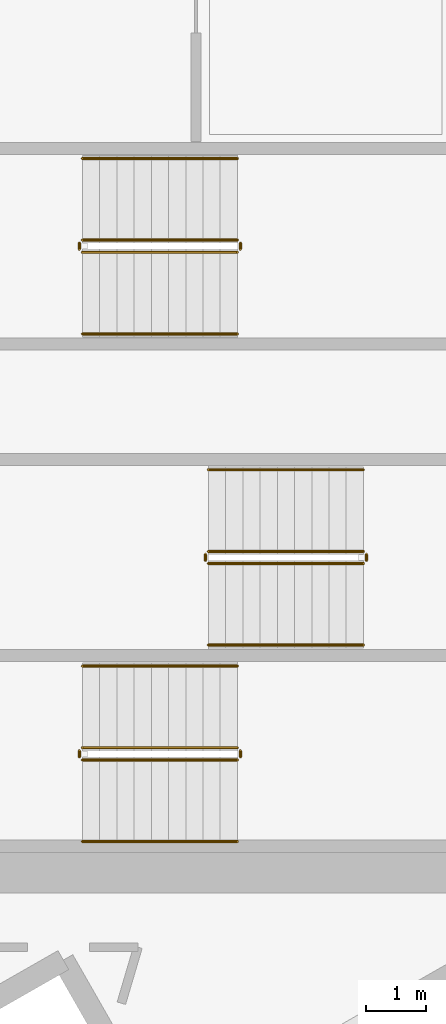
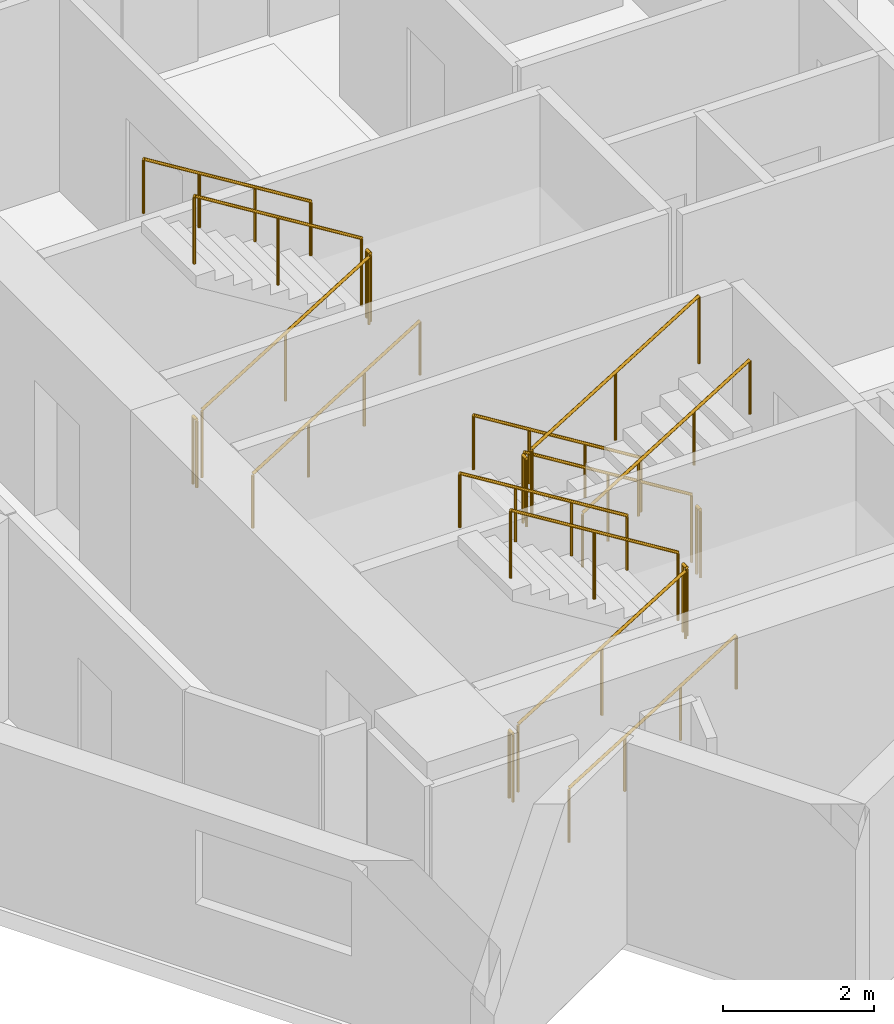
# One storey, part 12 of 13: 18 railings.
"""IFC4 building model written with IfcOpenShell, lengths in metres."""

import ifcopenshell
import ifcopenshell.guid

model = None  # the IFC model being written
_history = None  # IfcOwnerHistory: only IFC2X3 demands one
_inside = {}  # id of a spatial element -> (the spatial element, [elements in it])
_under = {}  # id of a project, library or spatial element -> (it, [spatial elements below it])
_declared = {}  # id of a project -> (the project, [libraries it declares])
_typed = {}  # id of a type object -> (the type object, [elements of that type])
_made_of = {}  # id of a material, layer set ... -> (it, [elements and type objects made of it])


def new_model(schema):
    """Start an empty IFC model of exactly this schema.

    Asked for "IFC4X3", IfcOpenShell would pick the latest addendum, in which some entities
    have other attributes; the version numbers below select the first issue.
    IFC2X3 requires an IfcOwnerHistory on every rooted entity: one is made here for all.
    """
    global model, _history
    if schema == "IFC4X3":
        model = ifcopenshell.file(schema_version=(4, 3, 0, 0))
    else:
        model = ifcopenshell.file(schema=schema)
    _inside.clear()
    _under.clear()
    _declared.clear()
    _typed.clear()
    _made_of.clear()
    _history = None
    if model.schema == "IFC2X3":
        org = make("IfcOrganization", Name="unknown")
        user = make(
            "IfcPersonAndOrganization",
            ThePerson=make("IfcPerson", FamilyName="unknown"),
            TheOrganization=org,
        )
        app = make(
            "IfcApplication",
            ApplicationDeveloper=org,
            Version="unknown",
            ApplicationFullName="unknown",
            ApplicationIdentifier="unknown",
        )
        _history = make(
            "IfcOwnerHistory",
            OwningUser=user,
            OwningApplication=app,
            ChangeAction="ADDED",
            CreationDate=0,
        )
    return model


def make(cls, **values):
    """One entity of the class cls with the attributes given. An attribute that is None is left unset."""
    return model.create_entity(
        cls, **{name: value for name, value in values.items() if value is not None}
    )


def rooted(cls, **values):
    """An entity with a GlobalId (a new one), such as an element, a storey or a relation."""
    return make(cls, GlobalId=ifcopenshell.guid.new(), OwnerHistory=_history, **values)


def si_unit(unit_type, name, prefix=None):
    """IfcSIUnit, for example si_unit("LENGTHUNIT", "METRE", prefix="MILLI")."""
    return make("IfcSIUnit", UnitType=unit_type, Prefix=prefix, Name=name)


def assignment(units):
    """IfcUnitAssignment: the units of a project."""
    return None if units is None else make("IfcUnitAssignment", Units=units)


def point(xyz):
    """IfcCartesianPoint."""
    return None if xyz is None else make("IfcCartesianPoint", Coordinates=xyz)


def direction(xyz):
    """IfcDirection."""
    return None if xyz is None else make("IfcDirection", DirectionRatios=xyz)


def frame(location, z_axis=None, x_axis=None):
    """IfcAxis2Placement3D, a coordinate frame: its origin and axes. An axis left out is left unset."""
    return make(
        "IfcAxis2Placement3D",
        Location=point(location),
        Axis=direction(z_axis),
        RefDirection=direction(x_axis),
    )


def frame_2d(location, x_axis=None):
    """IfcAxis2Placement2D, a coordinate frame in the plane: its origin and x axis."""
    return make(
        "IfcAxis2Placement2D", Location=point(location), RefDirection=direction(x_axis)
    )


def origin():
    """The frame at (0, 0, 0) with its axes left unset."""
    return frame((0.0, 0.0, 0.0))


def origin_2d():
    """The frame at (0, 0) in the plane with its x axis left unset."""
    return frame_2d((0.0, 0.0))


def place(relative_to, where):
    """IfcLocalPlacement: puts the frame where relative to a parent placement (None: the world)."""
    return make(
        "IfcLocalPlacement", PlacementRelTo=relative_to, RelativePlacement=where
    )


def context(
    kind, dimensions, precision=None, world=None, true_north=None, identifier=None
):
    """IfcGeometricRepresentationContext, for example the 3D "Model" context."""
    return make(
        "IfcGeometricRepresentationContext",
        ContextIdentifier=identifier,
        ContextType=kind,
        CoordinateSpaceDimension=dimensions,
        Precision=precision,
        WorldCoordinateSystem=world,
        TrueNorth=true_north,
    )


def subcontext(parent, identifier, kind, view, scale=None):
    """IfcGeometricRepresentationSubContext, for example "Body" below "Model"."""
    return make(
        "IfcGeometricRepresentationSubContext",
        ContextIdentifier=identifier,
        ContextType=kind,
        ParentContext=parent,
        TargetScale=scale,
        TargetView=view,
    )


def project(units=None, contexts=None):
    """IfcProject with its units and contexts."""
    return rooted(
        "IfcProject",
        Name="project",
        RepresentationContexts=contexts,
        UnitsInContext=assignment(units),
    )


def spatial(cls, under=None, at=None, **own):
    """A site, building, storey or space (cls), placed at a placement, below another one or the project."""
    s = rooted(cls, ObjectPlacement=at, **own)
    if under is not None:
        _under.setdefault(under.id(), (under, []))[1].append(s)
    return s


def profile(cls, at=None, kind="AREA", **sizes):
    """A parametric profile (cls). Its sizes go by their IFC names, for example OverallWidth=200.0."""
    return make(cls, ProfileType=kind, Position=at, **sizes)


def circle(**sizes):
    """IfcCircleProfileDef."""
    return profile("IfcCircleProfileDef", **sizes)


def extrude(swept, where, along, depth):
    """IfcExtrudedAreaSolid: the profile swept, set in the frame where, extruded along a direction by depth."""
    return make(
        "IfcExtrudedAreaSolid",
        SweptArea=swept,
        Position=where,
        ExtrudedDirection=direction(along),
        Depth=depth,
    )


def shape(context_of_items, identifier, shape_type, items):
    """IfcShapeRepresentation: the items that make up one representation, for example the "Body"."""
    return make(
        "IfcShapeRepresentation",
        ContextOfItems=context_of_items,
        RepresentationIdentifier=identifier,
        RepresentationType=shape_type,
        Items=items,
    )


def material(Name=None, Category=None):
    """IfcMaterial."""
    return make("IfcMaterial", Name=Name, Category=Category)


def made_of(thing, what):
    """Note that an element or type object is made of a material, layer set ...; save() writes the relation."""
    if what is not None:
        _made_of.setdefault(what.id(), (what, []))[1].append(thing)
    return thing


def type_object(cls, material=None, **own):
    """A type object (cls), such as IfcWallType, which elements share."""
    return made_of(rooted(cls, **own), material)


def element(
    cls,
    number,
    at=None,
    inside=None,
    cuts=None,
    type_object=None,
    material=None,
    context=None,
    identifier="Body",
    shape_type=None,
    held_by="IfcProductDefinitionShape",
    body=None,
    shapes=None,
    **own,
):
    """One element of the class cls, such as IfcWall. Its Tag is "e" and its number.

    at: its placement. inside: the storey or other place that contains it. cuts: it is an
    opening in that element (IfcRelVoidsElement). A single representation is given by context,
    identifier, shape_type and body (its items); several are given by shapes. held_by: the class
    of the entity that holds the representations. save() writes the other relations.
    """
    e = rooted(cls, Tag="e%d" % number, ObjectPlacement=at, **own)
    if body is not None:
        shapes = [shape(context, identifier, shape_type, body)]
    if shapes is not None:
        e.Representation = make(held_by, Representations=shapes)
    if inside is not None:
        _inside.setdefault(inside.id(), (inside, []))[1].append(e)
    if cuts is not None:
        rooted(
            "IfcRelVoidsElement", RelatingBuildingElement=cuts, RelatedOpeningElement=e
        )
    if type_object is not None:
        _typed.setdefault(type_object.id(), (type_object, []))[1].append(e)
    return made_of(e, material)


def aggregate(whole, parts):
    """IfcRelAggregates: a whole, such as a stair, and the parts it consists of."""
    return rooted("IfcRelAggregates", RelatingObject=whole, RelatedObjects=parts)


def save(model, path):
    """Write the relations noted so far, then the file.

    IfcRelAggregates (storeys below a building ...), IfcRelContainedInSpatialStructure (elements
    in a storey), IfcRelDefinesByType, IfcRelAssociatesMaterial and IfcRelDeclares: one each for
    every whole, place, type object, material and project.
    """
    for whole, parts in _under.values():
        aggregate(whole, parts)
    for where, things in _inside.values():
        rooted(
            "IfcRelContainedInSpatialStructure",
            RelatedElements=things,
            RelatingStructure=where,
        )
    for kind, things in _typed.values():
        rooted("IfcRelDefinesByType", RelatedObjects=things, RelatingType=kind)
    for what, things in _made_of.values():
        rooted("IfcRelAssociatesMaterial", RelatedObjects=things, RelatingMaterial=what)
    for by, libraries in _declared.values():
        rooted("IfcRelDeclares", RelatingContext=by, RelatedDefinitions=libraries)
    model.write(path)


model = new_model("IFC4")

# Units and contexts
model_context = context("Model", 3, precision=1e-05, world=origin(), true_north=direction((0.0, 1.0)))
body_context = subcontext(model_context, "Body", "Model", "MODEL_VIEW")
ifc_project = project(units=[si_unit("LENGTHUNIT", "METRE"), si_unit("AREAUNIT", "SQUARE_METRE"), si_unit("VOLUMEUNIT", "CUBIC_METRE"), si_unit("PLANEANGLEUNIT", "RADIAN"), si_unit("MASSUNIT", "GRAM", prefix="KILO")], contexts=[model_context])

# Site, building, storey
site_placement = place(None, origin())
site = spatial("IfcSite", under=ifc_project, at=site_placement, CompositionType="ELEMENT")
building_placement = place(site_placement, origin())
building = spatial("IfcBuilding", under=site, at=building_placement, Name="Narakoshi Arena Tower", CompositionType="ELEMENT")
storey_placement = place(building_placement, frame((0.0, 0.0, 225.5400390625)))
storey = spatial("IfcBuildingStorey", under=building, at=storey_placement, Name="L61", CompositionType="ELEMENT", Elevation=225.5400390625)

# Railings
ifc_material_1 = material(Name="Clear low-iron laminated structural glass", Category="glass")
railing_type_1 = type_object("IfcRailingType", Name="RL-BAL-1100", PredefinedType="BALUSTRADE", material=ifc_material_1)
railing_1_placement = place(storey_placement, frame((74.39990234375, 36.949951171875, 0.176025390625)))
element("IfcRailing", 1, at=railing_1_placement, inside=storey, type_object=railing_type_1, Name="L61 ST1 stair guard 1", PredefinedType="BALUSTRADE", context=body_context, shape_type="SweptSolid", body=[
    extrude(circle(Radius=0.02392578125, at=origin_2d()), frame((0.0, 0.0, 1.09619140625), z_axis=(0.850856559306, 0.0, 0.525398054323), x_axis=(0.0, 1.0, 0.0)), (0.0, 0.0, 1.0), 3.014892578125),
    extrude(circle(Radius=0.02099609375, at=origin_2d()), origin(), (0.0, 0.0, 1.0), 1.072021484375),
    extrude(circle(Radius=0.02099609375, at=origin_2d()), frame((1.28271484375, 0.0, 0.7919921875)), (0.0, 0.0, 1.0), 1.072021484375),
    extrude(circle(Radius=0.02099609375, at=origin_2d()), frame((2.565185546875, 0.0, 1.583984375)), (0.0, 0.0, 1.0), 1.072021484375),
])
railing_2_placement = place(storey_placement, frame((77.014892578125, 37.0, 1.760009765625)))
element("IfcRailing", 2, at=railing_2_placement, inside=storey, type_object=railing_type_1, Name="L61 ST1 stair guard 2", PredefinedType="BALUSTRADE", context=body_context, shape_type="SweptSolid", body=[
    extrude(circle(Radius=0.02392578125, at=origin_2d()), frame((0.0, 0.0, 1.09619140625), z_axis=(0.0, 1.0, 0.0), x_axis=(-1.0, 0.0, 0.0)), (0.0, 0.0, 1.0), 0.10009765625),
    extrude(circle(Radius=0.02099609375, at=origin_2d()), origin(), (0.0, 0.0, 1.0), 1.072021484375),
    extrude(circle(Radius=0.02099609375, at=origin_2d()), frame((0.0, 0.10009765625, 0.0)), (0.0, 0.0, 1.0), 1.072021484375),
])
railing_3_placement = place(storey_placement, frame((76.965087890625, 37.14990234375, 1.93603515625)))
element("IfcRailing", 3, at=railing_3_placement, inside=storey, type_object=railing_type_1, Name="L61 ST1 stair guard 3", PredefinedType="BALUSTRADE", context=body_context, shape_type="SweptSolid", body=[
    extrude(circle(Radius=0.02392578125, at=origin_2d()), frame((0.0, 0.0, 1.09619140625), z_axis=(-0.850856559306, 0.0, 0.525398054323), x_axis=(0.0, -1.0, 0.0)), (0.0, 0.0, 1.0), 3.014892578125),
    extrude(circle(Radius=0.02099609375, at=origin_2d()), origin(), (0.0, 0.0, 1.0), 1.072021484375),
    extrude(circle(Radius=0.02099609375, at=origin_2d()), frame((-1.28271484375, 0.0, 0.7919921875)), (0.0, 0.0, 1.0), 1.072021484375),
    extrude(circle(Radius=0.02099609375, at=origin_2d()), frame((-2.565185546875, 0.0, 1.583984375)), (0.0, 0.0, 1.0), 1.072021484375),
])
railing_4_placement = place(storey_placement, frame((74.35009765625, 37.0, 0.0)))
element("IfcRailing", 4, at=railing_4_placement, inside=storey, type_object=railing_type_1, Name="L61 ST1 stair guard 4", PredefinedType="BALUSTRADE", context=body_context, shape_type="SweptSolid", body=[
    extrude(circle(Radius=0.02392578125, at=origin_2d()), frame((0.0, 0.0, 1.09619140625), z_axis=(0.0, 1.0, 0.0), x_axis=(-1.0, 0.0, 0.0)), (0.0, 0.0, 1.0), 0.10009765625),
    extrude(circle(Radius=0.02099609375, at=origin_2d()), origin(), (0.0, 0.0, 1.0), 1.072021484375),
    extrude(circle(Radius=0.02099609375, at=origin_2d()), frame((0.0, 0.10009765625, 0.0)), (0.0, 0.0, 1.0), 1.072021484375),
])
railing_5_placement = place(storey_placement, frame((79.050048828125, 40.39990234375, 0.176025390625)))
element("IfcRailing", 5, at=railing_5_placement, inside=storey, type_object=railing_type_1, Name="L61 ST2 stair guard 1", PredefinedType="BALUSTRADE", context=body_context, shape_type="SweptSolid", body=[
    extrude(circle(Radius=0.02392578125, at=origin_2d()), frame((0.0, 0.0, 1.09619140625), z_axis=(-0.850834203031, 0.0, 0.525434257497), x_axis=(0.0, -1.0, 0.0)), (0.0, 0.0, 1.0), 3.0146484375),
    extrude(circle(Radius=0.02099609375, at=origin_2d()), origin(), (0.0, 0.0, 1.0), 1.072021484375),
    extrude(circle(Radius=0.02099609375, at=origin_2d()), frame((-1.282470703125, 0.0, 0.7919921875)), (0.0, 0.0, 1.0), 1.072021484375),
    extrude(circle(Radius=0.02099609375, at=origin_2d()), frame((-2.56494140625, 0.0, 1.583984375)), (0.0, 0.0, 1.0), 1.072021484375),
])
railing_6_placement = place(storey_placement, frame((76.43505859375, 40.35009765625, 1.760009765625)))
element("IfcRailing", 6, at=railing_6_placement, inside=storey, type_object=railing_type_1, Name="L61 ST2 stair guard 2", PredefinedType="BALUSTRADE", context=body_context, shape_type="SweptSolid", body=[
    extrude(circle(Radius=0.02392578125, at=origin_2d()), frame((0.0, 0.0, 1.09619140625), z_axis=(0.0, -1.0, 0.0), x_axis=(1.0, 0.0, 0.0)), (0.0, 0.0, 1.0), 0.10009765625),
    extrude(circle(Radius=0.02099609375, at=origin_2d()), origin(), (0.0, 0.0, 1.0), 1.072021484375),
    extrude(circle(Radius=0.02099609375, at=origin_2d()), frame((0.0, -0.10009765625, 0.0)), (0.0, 0.0, 1.0), 1.072021484375),
])
railing_7_placement = place(storey_placement, frame((76.485107421875, 40.199951171875, 1.93603515625)))
element("IfcRailing", 7, at=railing_7_placement, inside=storey, type_object=railing_type_1, Name="L61 ST2 stair guard 3", PredefinedType="BALUSTRADE", context=body_context, shape_type="SweptSolid", body=[
    extrude(circle(Radius=0.02392578125, at=origin_2d()), frame((0.0, 0.0, 1.09619140625), z_axis=(0.850834203031, 0.0, 0.525434257497), x_axis=(0.0, 1.0, 0.0)), (0.0, 0.0, 1.0), 3.0146484375),
    extrude(circle(Radius=0.02099609375, at=origin_2d()), origin(), (0.0, 0.0, 1.0), 1.072021484375),
    extrude(circle(Radius=0.02099609375, at=origin_2d()), frame((1.282470703125, 0.0, 0.7919921875)), (0.0, 0.0, 1.0), 1.072021484375),
    extrude(circle(Radius=0.02099609375, at=origin_2d()), frame((2.56494140625, 0.0, 1.583984375)), (0.0, 0.0, 1.0), 1.072021484375),
])
railing_8_placement = place(storey_placement, frame((79.10009765625, 40.35009765625, 0.0)))
element("IfcRailing", 8, at=railing_8_placement, inside=storey, type_object=railing_type_1, Name="L61 ST2 stair guard 4", PredefinedType="BALUSTRADE", context=body_context, shape_type="SweptSolid", body=[
    extrude(circle(Radius=0.02392578125, at=origin_2d()), frame((0.0, 0.0, 1.09619140625), z_axis=(0.0, -1.0, 0.0), x_axis=(1.0, 0.0, 0.0)), (0.0, 0.0, 1.0), 0.10009765625),
    extrude(circle(Radius=0.02099609375, at=origin_2d()), origin(), (0.0, 0.0, 1.0), 1.072021484375),
    extrude(circle(Radius=0.02099609375, at=origin_2d()), frame((0.0, -0.10009765625, 0.0)), (0.0, 0.0, 1.0), 1.072021484375),
])
railing_9_placement = place(storey_placement, frame((74.39990234375, 45.35009765625, 0.176025390625)))
element("IfcRailing", 9, at=railing_9_placement, inside=storey, type_object=railing_type_1, Name="L61 ST3 stair guard 1", PredefinedType="BALUSTRADE", context=body_context, shape_type="SweptSolid", body=[
    extrude(circle(Radius=0.02392578125, at=origin_2d()), frame((0.0, 0.0, 1.09619140625), z_axis=(0.850856559306, 0.0, 0.525398054323), x_axis=(0.0, 1.0, 0.0)), (0.0, 0.0, 1.0), 3.014892578125),
    extrude(circle(Radius=0.02099609375, at=origin_2d()), origin(), (0.0, 0.0, 1.0), 1.072021484375),
    extrude(circle(Radius=0.02099609375, at=origin_2d()), frame((1.28271484375, 0.0, 0.7919921875)), (0.0, 0.0, 1.0), 1.072021484375),
    extrude(circle(Radius=0.02099609375, at=origin_2d()), frame((2.565185546875, 0.0, 1.583984375)), (0.0, 0.0, 1.0), 1.072021484375),
])
railing_10_placement = place(storey_placement, frame((77.014892578125, 45.39990234375, 1.760009765625)))
element("IfcRailing", 10, at=railing_10_placement, inside=storey, type_object=railing_type_1, Name="L61 ST3 stair guard 2", PredefinedType="BALUSTRADE", context=body_context, shape_type="SweptSolid", body=[
    extrude(circle(Radius=0.02392578125, at=origin_2d()), frame((0.0, 0.0, 1.09619140625), z_axis=(0.0, 1.0, 0.0), x_axis=(-1.0, 0.0, 0.0)), (0.0, 0.0, 1.0), 0.10009765625),
    extrude(circle(Radius=0.02099609375, at=origin_2d()), origin(), (0.0, 0.0, 1.0), 1.072021484375),
    extrude(circle(Radius=0.02099609375, at=origin_2d()), frame((0.0, 0.10009765625, 0.0)), (0.0, 0.0, 1.0), 1.072021484375),
])
railing_11_placement = place(storey_placement, frame((76.965087890625, 45.550048828125, 1.93603515625)))
element("IfcRailing", 11, at=railing_11_placement, inside=storey, type_object=railing_type_1, Name="L61 ST3 stair guard 3", PredefinedType="BALUSTRADE", context=body_context, shape_type="SweptSolid", body=[
    extrude(circle(Radius=0.02392578125, at=origin_2d()), frame((0.0, 0.0, 1.09619140625), z_axis=(-0.850856559306, 0.0, 0.525398054323), x_axis=(0.0, -1.0, 0.0)), (0.0, 0.0, 1.0), 3.014892578125),
    extrude(circle(Radius=0.02099609375, at=origin_2d()), origin(), (0.0, 0.0, 1.0), 1.072021484375),
    extrude(circle(Radius=0.02099609375, at=origin_2d()), frame((-1.28271484375, 0.0, 0.7919921875)), (0.0, 0.0, 1.0), 1.072021484375),
    extrude(circle(Radius=0.02099609375, at=origin_2d()), frame((-2.565185546875, 0.0, 1.583984375)), (0.0, 0.0, 1.0), 1.072021484375),
])
railing_12_placement = place(storey_placement, frame((74.35009765625, 45.39990234375, 0.0)))
element("IfcRailing", 12, at=railing_12_placement, inside=storey, type_object=railing_type_1, Name="L61 ST3 stair guard 4", PredefinedType="BALUSTRADE", context=body_context, shape_type="SweptSolid", body=[
    extrude(circle(Radius=0.02392578125, at=origin_2d()), frame((0.0, 0.0, 1.09619140625), z_axis=(0.0, 1.0, 0.0), x_axis=(-1.0, 0.0, 0.0)), (0.0, 0.0, 1.0), 0.10009765625),
    extrude(circle(Radius=0.02099609375, at=origin_2d()), origin(), (0.0, 0.0, 1.0), 1.072021484375),
    extrude(circle(Radius=0.02099609375, at=origin_2d()), frame((0.0, 0.10009765625, 0.0)), (0.0, 0.0, 1.0), 1.072021484375),
])
ifc_material_2 = material(Name="Brushed bronze stainless steel", Category="steel")
railing_type_2 = type_object("IfcRailingType", Name="RL-HND-900", PredefinedType="HANDRAIL", material=ifc_material_2)
railing_13_placement = place(storey_placement, frame((74.39990234375, 35.60009765625, 0.176025390625)))
element("IfcRailing", 13, at=railing_13_placement, inside=storey, type_object=railing_type_2, Name="L61 ST1 stair handrail 1", PredefinedType="HANDRAIL", context=body_context, shape_type="SweptSolid", body=[
    extrude(circle(Radius=0.02392578125, at=origin_2d()), frame((0.0, 0.0, 0.8759765625), z_axis=(0.850856559306, 0.0, 0.525398054323), x_axis=(0.0, 1.0, 0.0)), (0.0, 0.0, 1.0), 3.014892578125),
    extrude(circle(Radius=0.02099609375, at=origin_2d()), origin(), (0.0, 0.0, 1.0), 0.851806640625),
    extrude(circle(Radius=0.02099609375, at=origin_2d()), frame((0.85498046875, 0.0, 0.528076171875)), (0.0, 0.0, 1.0), 0.851806640625),
    extrude(circle(Radius=0.02099609375, at=origin_2d()), frame((1.710205078125, 0.0, 1.055908203125)), (0.0, 0.0, 1.0), 0.851806640625),
    extrude(circle(Radius=0.02099609375, at=origin_2d()), frame((2.565185546875, 0.0, 1.583984375)), (0.0, 0.0, 1.0), 0.851806640625),
])
railing_14_placement = place(storey_placement, frame((76.965087890625, 38.5, 1.93603515625)))
element("IfcRailing", 14, at=railing_14_placement, inside=storey, type_object=railing_type_2, Name="L61 ST1 stair handrail 2", PredefinedType="HANDRAIL", context=body_context, shape_type="SweptSolid", body=[
    extrude(circle(Radius=0.02392578125, at=origin_2d()), frame((0.0, 0.0, 0.8759765625), z_axis=(-0.850856559306, 0.0, 0.525398054323), x_axis=(0.0, -1.0, 0.0)), (0.0, 0.0, 1.0), 3.014892578125),
    extrude(circle(Radius=0.02099609375, at=origin_2d()), origin(), (0.0, 0.0, 1.0), 0.851806640625),
    extrude(circle(Radius=0.02099609375, at=origin_2d()), frame((-0.85498046875, 0.0, 0.528076171875)), (0.0, 0.0, 1.0), 0.851806640625),
    extrude(circle(Radius=0.02099609375, at=origin_2d()), frame((-1.710205078125, 0.0, 1.055908203125)), (0.0, 0.0, 1.0), 0.851806640625),
    extrude(circle(Radius=0.02099609375, at=origin_2d()), frame((-2.565185546875, 0.0, 1.583984375)), (0.0, 0.0, 1.0), 0.851806640625),
])
railing_15_placement = place(storey_placement, frame((79.050048828125, 41.75, 0.176025390625)))
element("IfcRailing", 15, at=railing_15_placement, inside=storey, type_object=railing_type_2, Name="L61 ST2 stair handrail 1", PredefinedType="HANDRAIL", context=body_context, shape_type="SweptSolid", body=[
    extrude(circle(Radius=0.02392578125, at=origin_2d()), frame((0.0, 0.0, 0.8759765625), z_axis=(-0.850834203031, 0.0, 0.525434257497), x_axis=(0.0, -1.0, 0.0)), (0.0, 0.0, 1.0), 3.0146484375),
    extrude(circle(Radius=0.02099609375, at=origin_2d()), origin(), (0.0, 0.0, 1.0), 0.851806640625),
    extrude(circle(Radius=0.02099609375, at=origin_2d()), frame((-0.85498046875, 0.0, 0.528076171875)), (0.0, 0.0, 1.0), 0.851806640625),
    extrude(circle(Radius=0.02099609375, at=origin_2d()), frame((-1.7099609375, 0.0, 1.055908203125)), (0.0, 0.0, 1.0), 0.851806640625),
    extrude(circle(Radius=0.02099609375, at=origin_2d()), frame((-2.56494140625, 0.0, 1.583984375)), (0.0, 0.0, 1.0), 0.851806640625),
])
railing_16_placement = place(storey_placement, frame((76.485107421875, 38.85009765625, 1.93603515625)))
element("IfcRailing", 16, at=railing_16_placement, inside=storey, type_object=railing_type_2, Name="L61 ST2 stair handrail 2", PredefinedType="HANDRAIL", context=body_context, shape_type="SweptSolid", body=[
    extrude(circle(Radius=0.02392578125, at=origin_2d()), frame((0.0, 0.0, 0.8759765625), z_axis=(0.850834203031, 0.0, 0.525434257497), x_axis=(0.0, 1.0, 0.0)), (0.0, 0.0, 1.0), 3.0146484375),
    extrude(circle(Radius=0.02099609375, at=origin_2d()), origin(), (0.0, 0.0, 1.0), 0.851806640625),
    extrude(circle(Radius=0.02099609375, at=origin_2d()), frame((0.85498046875, 0.0, 0.528076171875)), (0.0, 0.0, 1.0), 0.851806640625),
    extrude(circle(Radius=0.02099609375, at=origin_2d()), frame((1.7099609375, 0.0, 1.055908203125)), (0.0, 0.0, 1.0), 0.851806640625),
    extrude(circle(Radius=0.02099609375, at=origin_2d()), frame((2.56494140625, 0.0, 1.583984375)), (0.0, 0.0, 1.0), 0.851806640625),
])
railing_17_placement = place(storey_placement, frame((74.39990234375, 44.0, 0.176025390625)))
element("IfcRailing", 17, at=railing_17_placement, inside=storey, type_object=railing_type_2, Name="L61 ST3 stair handrail 1", PredefinedType="HANDRAIL", context=body_context, shape_type="SweptSolid", body=[
    extrude(circle(Radius=0.02392578125, at=origin_2d()), frame((0.0, 0.0, 0.8759765625), z_axis=(0.850856559306, 0.0, 0.525398054323), x_axis=(0.0, 1.0, 0.0)), (0.0, 0.0, 1.0), 3.014892578125),
    extrude(circle(Radius=0.02099609375, at=origin_2d()), origin(), (0.0, 0.0, 1.0), 0.851806640625),
    extrude(circle(Radius=0.02099609375, at=origin_2d()), frame((0.85498046875, 0.0, 0.528076171875)), (0.0, 0.0, 1.0), 0.851806640625),
    extrude(circle(Radius=0.02099609375, at=origin_2d()), frame((1.710205078125, 0.0, 1.055908203125)), (0.0, 0.0, 1.0), 0.851806640625),
    extrude(circle(Radius=0.02099609375, at=origin_2d()), frame((2.565185546875, 0.0, 1.583984375)), (0.0, 0.0, 1.0), 0.851806640625),
])
railing_18_placement = place(storey_placement, frame((76.965087890625, 46.89990234375, 1.93603515625)))
element("IfcRailing", 18, at=railing_18_placement, inside=storey, type_object=railing_type_2, Name="L61 ST3 stair handrail 2", PredefinedType="HANDRAIL", context=body_context, shape_type="SweptSolid", body=[
    extrude(circle(Radius=0.02392578125, at=origin_2d()), frame((0.0, 0.0, 0.8759765625), z_axis=(-0.850856559306, 0.0, 0.525398054323), x_axis=(0.0, -1.0, 0.0)), (0.0, 0.0, 1.0), 3.014892578125),
    extrude(circle(Radius=0.02099609375, at=origin_2d()), origin(), (0.0, 0.0, 1.0), 0.851806640625),
    extrude(circle(Radius=0.02099609375, at=origin_2d()), frame((-0.85498046875, 0.0, 0.528076171875)), (0.0, 0.0, 1.0), 0.851806640625),
    extrude(circle(Radius=0.02099609375, at=origin_2d()), frame((-1.710205078125, 0.0, 1.055908203125)), (0.0, 0.0, 1.0), 0.851806640625),
    extrude(circle(Radius=0.02099609375, at=origin_2d()), frame((-2.565185546875, 0.0, 1.583984375)), (0.0, 0.0, 1.0), 0.851806640625),
])

save(model, "model.ifc")
